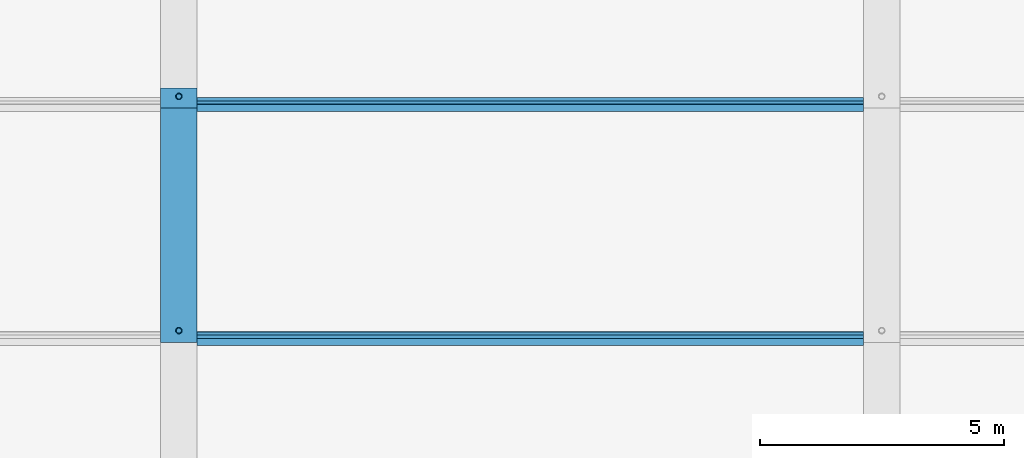
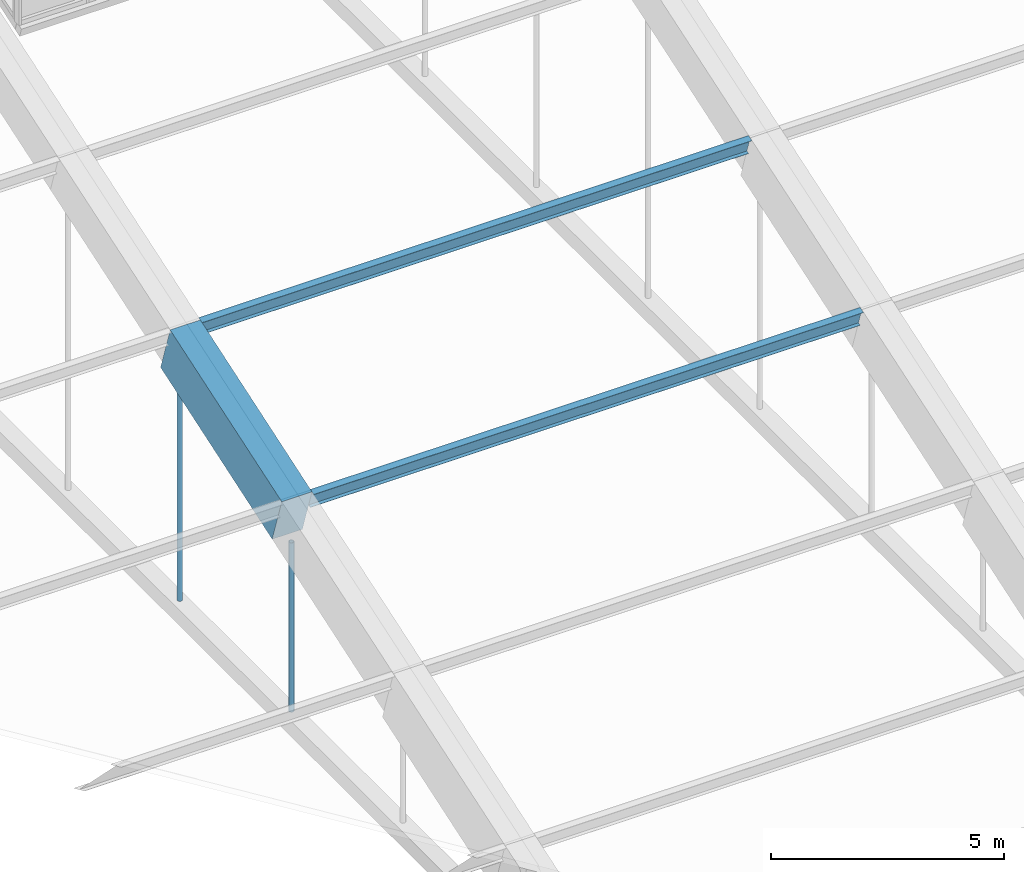
# One storey, part 20 of 149: 4 members, 1 beam.
"""IFC4 building model written with IfcOpenShell, lengths in metres."""

from ifc_helpers import new_model, si_unit, direction, frame, origin, origin_2d, place, context, subcontext, project, spatial, rectangle, hollow_circle, i_section, extrude, material, material_profile, profile_set, type_object, element, save


model = new_model("IFC4")

# Units and contexts
model_context = context("Model", 3, precision=1e-05, world=origin(), true_north=direction((0.0, 1.0)))
body_context = subcontext(model_context, "Body", "Model", "MODEL_VIEW")
ifc_project = project(units=[si_unit("LENGTHUNIT", "METRE"), si_unit("AREAUNIT", "SQUARE_METRE"), si_unit("VOLUMEUNIT", "CUBIC_METRE"), si_unit("PLANEANGLEUNIT", "RADIAN"), si_unit("MASSUNIT", "GRAM", prefix="KILO")], contexts=[model_context])

# Site, building, storey
site_placement = place(None, origin())
site = spatial("IfcSite", under=ifc_project, at=site_placement, CompositionType="ELEMENT")
building_placement = place(site_placement, origin())
building = spatial("IfcBuilding", under=site, at=building_placement, Name="Alderwick Market Hall", CompositionType="ELEMENT")
storey_placement = place(building_placement, frame((0.0, 0.0, 9.60009765625)))
storey = spatial("IfcBuildingStorey", under=building, at=storey_placement, Name="L01", CompositionType="ELEMENT", Elevation=9.60009765625)

# Beam
ifc_material_1 = material(Name="Concrete 5000 psi (f'c 35 MPa)", Category="concrete")
ifc_material_profile_1 = material_profile(ifc_material_1, rectangle(XDim=0.75, YDim=1.300048828125, at=origin_2d()), Name="RC 750x1300")
ifc_profile_set_1 = profile_set([ifc_material_profile_1], Name="Concrete 5000 psi (f'c 35 MPa)")
beam_type = type_object("IfcBeamType", Name="R Arch Rib Haunch 750x1300", PredefinedType="BEAM", material=ifc_profile_set_1)
beam_placement = place(storey_placement, frame((108.0, 64.768310546875, 11.494873046875), z_axis=(0.0, 0.948692948114, 0.316198814353), x_axis=(-1.0, 0.0, 0.0)))
element("IfcBeam", 1, at=beam_placement, inside=storey, type_object=beam_type, Name="Arch rib 5 chord 4", PredefinedType="BEAM", context=body_context, shape_type="SweptSolid", body=[
    extrude(rectangle(XDim=0.75, YDim=1.300048828125, at=origin_2d()), origin(), (0.0, 0.0, 1.0), 5.0595703125),
])

# Members
ifc_material_2 = material(Name="Steel ASTM A500 Grade C", Category="steel")
ifc_material_profile_2 = material_profile(ifc_material_2, hollow_circle(Radius=0.0634765625, WallThickness=0.005859375, at=origin_2d()), Name="HSS5.000x0.250")
ifc_profile_set_2 = profile_set([ifc_material_profile_2], Name="Steel ASTM A500 Grade C")
member_type_1 = type_object("IfcMemberType", Name="R Hanger HSS5.000x0.250", PredefinedType="POST", material=ifc_profile_set_2)
member_1_placement = place(storey_placement, frame((108.0, 64.800048828125, 6.35302734375), z_axis=(0.0, 0.0, 1.0), x_axis=(1.0, 0.0, 0.0)))
element("IfcMember", 2, at=member_1_placement, inside=storey, type_object=member_type_1, Name="Arch hanger 5.3", PredefinedType="POST", context=body_context, shape_type="SweptSolid", body=[
    extrude(hollow_circle(Radius=0.0634765625, WallThickness=0.005859375, at=origin_2d()), origin(), (0.0, 0.0, 1.0), 4.446044921875),
])
member_2_placement = place(storey_placement, frame((108.0, 69.60009765625, 6.35302734375), z_axis=(0.0, 0.0, 1.0), x_axis=(1.0, 0.0, 0.0)))
element("IfcMember", 3, at=member_2_placement, inside=storey, type_object=member_type_1, Name="Arch hanger 5.4", PredefinedType="POST", context=body_context, shape_type="SweptSolid", body=[
    extrude(hollow_circle(Radius=0.0634765625, WallThickness=0.005859375, at=origin_2d()), origin(), (0.0, 0.0, 1.0), 6.0458984375),
])
ifc_material_3 = material(Name="Steel ASTM A992 Grade 50", Category="steel")
ifc_material_profile_3 = material_profile(ifc_material_3, i_section(OverallWidth=0.153076171875, OverallDepth=0.455078125, WebThickness=0.008056640625, FlangeThickness=0.01318359375, at=origin_2d()), Name="W18x40")
ifc_profile_set_3 = profile_set([ifc_material_profile_3], Name="Steel ASTM A992 Grade 50")
member_type_2 = type_object("IfcMemberType", Name="R Purlin W18x40", PredefinedType="PURLIN", material=ifc_profile_set_3)
for number, where, z_axis, x_axis, name in (
    (4, (108.375, 64.63671875, 11.889892578125), (1.0, 0.0, 0.0), (0.0, 0.948683297073, 0.316227768949), "Roof purlin 4.5"),
    (5, (108.375, 69.436767578125, 13.489990234375), (1.0, 0.0, 0.0), (0.0, 0.948683297073, 0.316227768949), "Roof purlin 5.5"),
):
    element("IfcMember", number, at=place(storey_placement, frame(where, z_axis=z_axis, x_axis=x_axis)), inside=storey, type_object=member_type_2, Name=name, PredefinedType="PURLIN", context=body_context, shape_type="SweptSolid", body=[
        extrude(i_section(OverallWidth=0.153076171875, OverallDepth=0.455078125, WebThickness=0.008056640625, FlangeThickness=0.01318359375, at=origin_2d()), origin(), (0.0, 0.0, 1.0), 13.64990234375),
    ])

save(model, "model.ifc")
